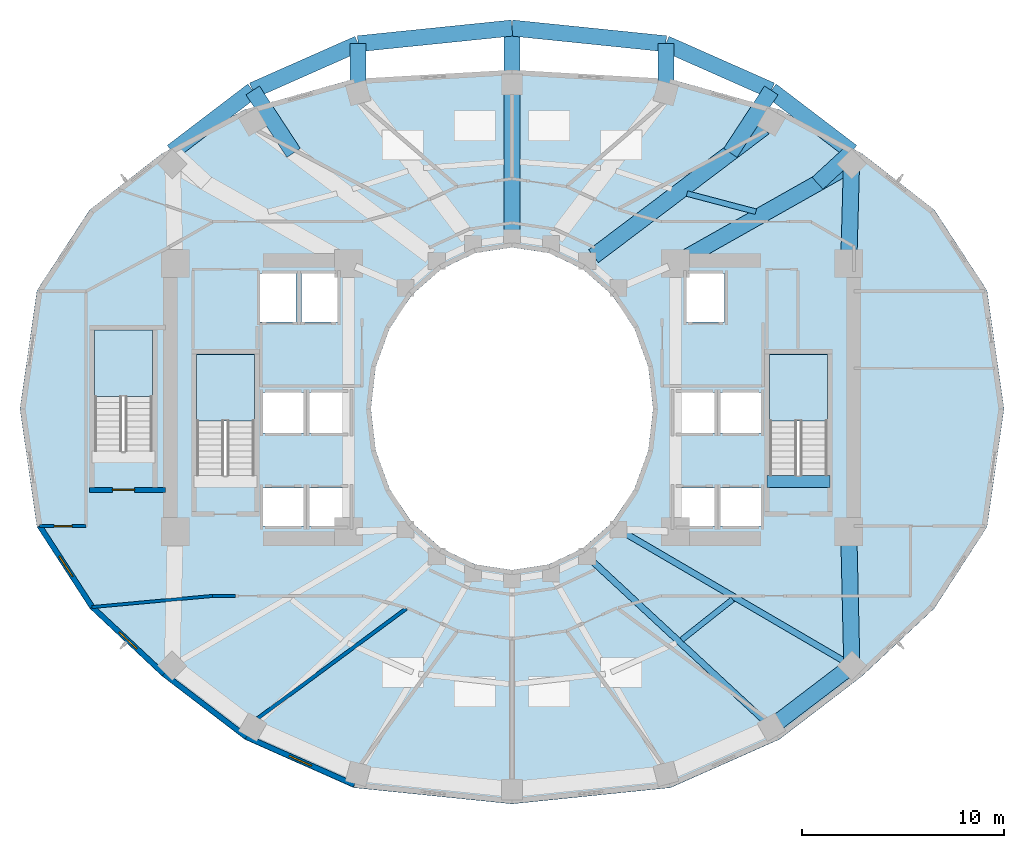
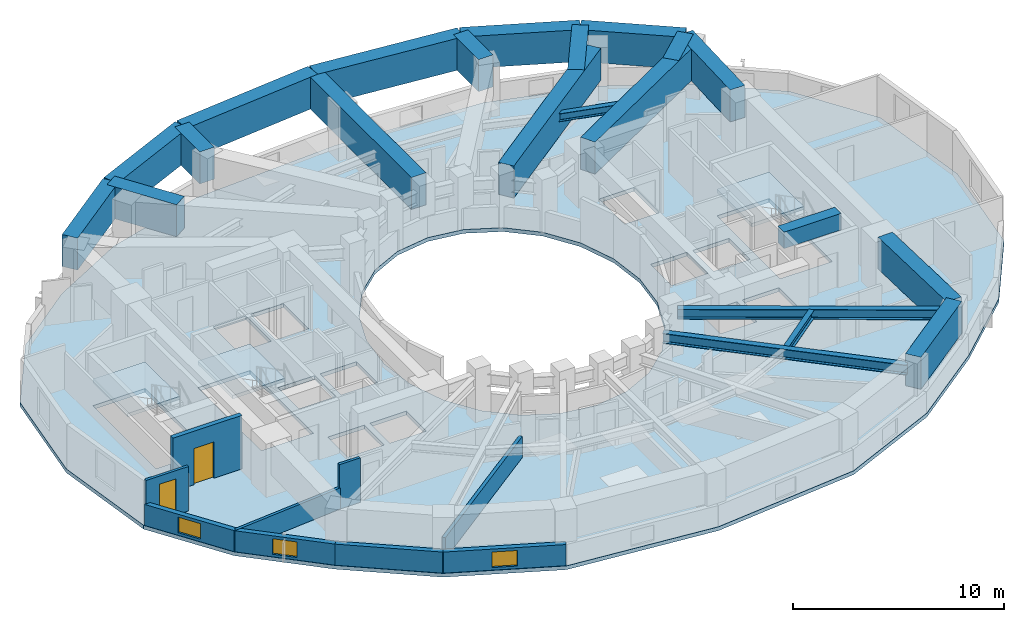
# One storey, part 2 of 10: 22 beams, 9 walls, 4 slabs, 3 windows, 2 doors, 5 openings, 3 elements without a shape of their own.
"""IFC4 building model written with IfcOpenShell, lengths in metres."""

from ifc_helpers import new_model, si_unit, direction, frame, frame_2d, origin, origin_2d, place, context, subcontext, project, spatial, polyline, rectangle, i_section, outline, extrude, material, layer, layer_set, material_profile, profile_set, type_object, element, fill, aggregate, save


model = new_model("IFC4")

# Units and contexts
model_context = context("Model", 3, precision=1e-05, world=origin(), true_north=direction((0.0, 1.0)))
body_context = subcontext(model_context, "Body", "Model", "MODEL_VIEW")
ifc_project = project(units=[si_unit("LENGTHUNIT", "METRE"), si_unit("AREAUNIT", "SQUARE_METRE"), si_unit("VOLUMEUNIT", "CUBIC_METRE"), si_unit("PLANEANGLEUNIT", "RADIAN"), si_unit("MASSUNIT", "GRAM", prefix="KILO")], contexts=[model_context])

# Site, building, storey
site_placement = place(None, origin())
site = spatial("IfcSite", under=ifc_project, at=site_placement, CompositionType="ELEMENT")
building_placement = place(site_placement, origin())
building = spatial("IfcBuilding", under=site, at=building_placement, Name="Solvane Sanctuary Tower", CompositionType="ELEMENT")
storey_placement = place(building_placement, frame((0.0, 0.0, 101.10009765625)))
storey = spatial("IfcBuildingStorey", under=building, at=storey_placement, Name="L30", CompositionType="ELEMENT", Elevation=101.10009765625)

# Beams
ifc_material_1 = material(Name="Concrete C70/85", Category="concrete")
ifc_material_profile_1 = material_profile(ifc_material_1, rectangle(XDim=0.60009765625, YDim=0.949951171875, at=origin_2d()), Name="RC600X950")
ifc_profile_set_1 = profile_set([ifc_material_profile_1], Name="Concrete C70/85")
beam_type_1 = type_object("IfcBeamType", Name="Beam B-COUPLE RC600X950", PredefinedType="LINTEL", material=ifc_profile_set_1)
beam_1_placement = place(storey_placement, frame((44.64990234375, 19.399169921875, 2.625), z_axis=(1.0, 0.0, 0.0), x_axis=(0.0, 1.0, 0.0)))
element("IfcBeam", 1, at=beam_1_placement, inside=storey, type_object=beam_type_1, Name="L30 ST-2 Stair Floor Landing Trimmer", PredefinedType="LINTEL", context=body_context, shape_type="SweptSolid", body=[
    extrude(rectangle(XDim=0.60009765625, YDim=0.949951171875, at=origin_2d()), origin(), (0.0, 0.0, 1.0), 3.1201171875),
])
ifc_material_2 = material(Name="Steel ASTM A992 Grade 50", Category="steel")
ifc_material_profile_2 = material_profile(ifc_material_2, i_section(OverallWidth=0.31494140625, OverallDepth=0.575927734375, WebThickness=0.01513671875, FlangeThickness=0.0244140625, FilletRadius=0.014892578125, at=origin_2d()), Name="W21X122")
ifc_profile_set_2 = profile_set([ifc_material_profile_2], Name="Steel ASTM A992 Grade 50")
beam_type_2 = type_object("IfcBeamType", Name="Beam B-RAD-Z2 W21X122", PredefinedType="BEAM", material=ifc_profile_set_2)
beam_2_placement = place(storey_placement, frame((35.935302734375, 15.483154296875, 2.309814453125), z_axis=(0.733453775248, -0.679739332078, 0.0), x_axis=(0.679739332078, 0.733453775248, 0.0)))
element("IfcBeam", 2, at=beam_2_placement, inside=storey, type_object=beam_type_2, Name="L30 Radial Composite Floor Beam 13", PredefinedType="BEAM", context=body_context, shape_type="SweptSolid", body=[
    extrude(i_section(OverallWidth=0.31494140625, OverallDepth=0.575927734375, WebThickness=0.01513671875, FlangeThickness=0.0244140625, FilletRadius=0.014892578125, at=origin_2d()), origin(), (0.0, 0.0, 1.0), 11.885498046875),
])
beam_3_placement = place(storey_placement, frame((37.516845703125, 16.876708984375, 2.309814453125), z_axis=(0.863554121542, -0.504256164234, 0.0), x_axis=(0.504256164234, 0.863554121542, 0.0)))
element("IfcBeam", 3, at=beam_3_placement, inside=storey, type_object=beam_type_2, Name="L30 Radial Composite Floor Beam 14", PredefinedType="BEAM", context=body_context, shape_type="SweptSolid", body=[
    extrude(i_section(OverallWidth=0.31494140625, OverallDepth=0.575927734375, WebThickness=0.01513671875, FlangeThickness=0.0244140625, FilletRadius=0.014892578125, at=origin_2d()), origin(), (0.0, 0.0, 1.0), 12.84716796875),
])
ifc_material_profile_3 = material_profile(ifc_material_2, i_section(OverallWidth=0.280029296875, OverallDepth=0.462890625, WebThickness=0.0107421875, FlangeThickness=0.017333984375, FilletRadius=0.013916015625, at=origin_2d()), Name="W18X76")
ifc_profile_set_3 = profile_set([ifc_material_profile_3], Name="Steel ASTM A992 Grade 50")
beam_type_3 = type_object("IfcBeamType", Name="Beam B-SEC-JOIST W18X76", PredefinedType="JOIST", material=ifc_profile_set_3)
beam_4_placement = place(storey_placement, frame((40.676025390625, 33.67138671875, 2.366455078125), z_axis=(0.966933950573, -0.2550269304, 0.0), x_axis=(0.2550269304, 0.966933950573, 0.0)))
element("IfcBeam", 4, at=beam_4_placement, inside=storey, type_object=beam_type_3, Name="L30 Secondary Circumferential Joist 02-01", PredefinedType="JOIST", context=body_context, shape_type="SweptSolid", body=[
    extrude(i_section(OverallWidth=0.280029296875, OverallDepth=0.462890625, WebThickness=0.0107421875, FlangeThickness=0.017333984375, FilletRadius=0.013916015625, at=origin_2d()), origin(), (0.0, 0.0, 1.0), 3.535400390625),
])
beam_5_placement = place(storey_placement, frame((40.413818359375, 11.538330078125, 2.366455078125), z_axis=(0.783877123324, 0.620915981055, 0.0), x_axis=(-0.620915981055, 0.783877123324, 0.0)))
element("IfcBeam", 5, at=beam_5_placement, inside=storey, type_object=beam_type_3, Name="L30 Secondary Circumferential Joist 13-14", PredefinedType="JOIST", context=body_context, shape_type="SweptSolid", body=[
    extrude(i_section(OverallWidth=0.280029296875, OverallDepth=0.462890625, WebThickness=0.0107421875, FlangeThickness=0.017333984375, FilletRadius=0.013916015625, at=origin_2d()), origin(), (0.0, 0.0, 1.0), 3.228515625),
])
ifc_material_profile_4 = material_profile(ifc_material_1, rectangle(XDim=0.800048828125, YDim=1.85009765625, at=origin_2d()), Name="RC800X1850")
ifc_profile_set_4 = profile_set([ifc_material_profile_4], Name="Concrete C70/85")
beam_type_4 = type_object("IfcBeamType", Name="Beam B-XFER-BLK RC800X1850", PredefinedType="BEAM", material=ifc_profile_set_4)
beam_6_placement = place(storey_placement, frame((40.41357421875, 30.376953125, 2.1748046875), z_axis=(0.870957023886, 0.491359199103, 0.0), x_axis=(-0.491359199103, 0.870957023886, 0.0)))
element("IfcBeam", 6, at=beam_6_placement, inside=storey, type_object=beam_type_4, Name="L30 Block-Shift Radial Transfer Girder 01A", PredefinedType="BEAM", context=body_context, shape_type="SweptSolid", body=[
    extrude(rectangle(XDim=0.800048828125, YDim=1.85009765625, at=origin_2d()), origin(), (0.0, 0.0, 1.0), 9.24462890625),
])
beam_7_placement = place(storey_placement, frame((47.154541015625, 34.179931640625, 2.1748046875), z_axis=(0.735848790929, 0.677145890402, 0.0), x_axis=(-0.677145890402, 0.735848790929, 0.0)))
element("IfcBeam", 7, at=beam_7_placement, inside=storey, type_object=beam_type_4, Name="L30 Block-Shift Transfer Tie 01B", PredefinedType="BEAM", context=body_context, shape_type="SweptSolid", body=[
    extrude(rectangle(XDim=0.800048828125, YDim=1.85009765625, at=origin_2d()), origin(), (0.0, 0.0, 1.0), 2.30810546875),
])
beam_8_placement = place(storey_placement, frame((36.04541015625, 30.564697265625, 2.1748046875), z_axis=(0.798118916751, 0.602499954128, 0.0), x_axis=(-0.602499954128, 0.798118916751, 0.0)))
element("IfcBeam", 8, at=beam_8_placement, inside=storey, type_object=beam_type_4, Name="L30 Block-Shift Radial Transfer Girder 02A", PredefinedType="BEAM", context=body_context, shape_type="SweptSolid", body=[
    extrude(rectangle(XDim=0.800048828125, YDim=1.85009765625, at=origin_2d()), origin(), (0.0, 0.0, 1.0), 10.59716796875),
])
beam_9_placement = place(storey_placement, frame((42.830078125, 35.686279296875, 2.1748046875), z_axis=(0.54753166112, 0.836784966447, 0.0), x_axis=(-0.836784966447, 0.54753166112, 0.0)))
element("IfcBeam", 9, at=beam_9_placement, inside=storey, type_object=beam_type_4, Name="L30 Block-Shift Transfer Tie 02B", PredefinedType="BEAM", context=body_context, shape_type="SweptSolid", body=[
    extrude(rectangle(XDim=0.800048828125, YDim=1.85009765625, at=origin_2d()), origin(), (0.0, 0.0, 1.0), 3.70458984375),
])
beam_10_placement = place(storey_placement, frame((39.62939453125, 38.7021484375, 2.1748046875), z_axis=(0.0, 1.0, 0.0), x_axis=(-1.0, 0.0, 0.0)))
element("IfcBeam", 10, at=beam_10_placement, inside=storey, type_object=beam_type_4, Name="L30 Block-Shift Transfer Tie 03B", PredefinedType="BEAM", context=body_context, shape_type="SweptSolid", body=[
    extrude(rectangle(XDim=0.800048828125, YDim=1.85009765625, at=origin_2d()), origin(), (0.0, 0.0, 1.0), 2.39794921875),
])
beam_11_placement = place(storey_placement, frame((32.0, 31.85498046875, 2.1748046875), z_axis=(0.0, 1.0, 0.0), x_axis=(-1.0, 0.0, 0.0)))
element("IfcBeam", 11, at=beam_11_placement, inside=storey, type_object=beam_type_4, Name="L30 Block-Shift Radial Transfer Girder 04A", PredefinedType="BEAM", context=body_context, shape_type="SweptSolid", body=[
    extrude(rectangle(XDim=0.800048828125, YDim=1.85009765625, at=origin_2d()), origin(), (0.0, 0.0, 1.0), 10.02490234375),
])
beam_12_placement = place(storey_placement, frame((24.37060546875, 38.7021484375, 2.1748046875), z_axis=(0.0, 1.0, 0.0), x_axis=(-1.0, 0.0, 0.0)))
element("IfcBeam", 12, at=beam_12_placement, inside=storey, type_object=beam_type_4, Name="L30 Block-Shift Transfer Tie 05B", PredefinedType="BEAM", context=body_context, shape_type="SweptSolid", body=[
    extrude(rectangle(XDim=0.800048828125, YDim=1.85009765625, at=origin_2d()), origin(), (0.0, 0.0, 1.0), 2.39794921875),
])
beam_13_placement = place(storey_placement, frame((21.169921875, 35.686279296875, 2.1748046875), z_axis=(-0.54753166112, 0.836784966447, 0.0), x_axis=(-0.836784966447, -0.54753166112, 0.0)))
element("IfcBeam", 13, at=beam_13_placement, inside=storey, type_object=beam_type_4, Name="L30 Block-Shift Transfer Tie 06B", PredefinedType="BEAM", context=body_context, shape_type="SweptSolid", body=[
    extrude(rectangle(XDim=0.800048828125, YDim=1.85009765625, at=origin_2d()), origin(), (0.0, 0.0, 1.0), 3.70458984375),
])
beam_14_placement = place(storey_placement, frame((15.14697265625, 35.742919921875, 2.1748046875), z_axis=(0.795461851464, 0.606003665719, 0.0), x_axis=(-0.606003665719, 0.795461851464, 0.0)))
element("IfcBeam", 14, at=beam_14_placement, inside=storey, type_object=beam_type_4, Name="L30 Perimeter Step Transfer Ring NTC07-NTC06", PredefinedType="BEAM", context=body_context, shape_type="SweptSolid", body=[
    extrude(rectangle(XDim=0.800048828125, YDim=1.85009765625, at=origin_2d()), origin(), (0.0, 0.0, 1.0), 5.021728515625),
])
beam_15_placement = place(storey_placement, frame((19.1416015625, 38.7861328125, 2.1748046875), z_axis=(0.914461816427, 0.404672196101, 0.0), x_axis=(-0.404672196101, 0.914461816427, 0.0)))
element("IfcBeam", 15, at=beam_15_placement, inside=storey, type_object=beam_type_4, Name="L30 Perimeter Step Transfer Ring NTC06-NTC05", PredefinedType="BEAM", context=body_context, shape_type="SweptSolid", body=[
    extrude(rectangle(XDim=0.800048828125, YDim=1.85009765625, at=origin_2d()), origin(), (0.0, 0.0, 1.0), 5.718017578125),
])
for number, where, z_axis, x_axis, name in (
    (16, (24.37060546875, 41.10009765625, 2.1748046875), (0.994817332657, 0.101678289936, 0.0), (-0.101678289936, 0.994817332657, 0.0), "L30 Perimeter Step Transfer Ring NTC05-NTC04"),
    (17, (32.0, 41.8798828125, 2.1748046875), (0.994817332657, -0.101678289936, 0.0), (0.101678289936, 0.994817332657, 0.0), "L30 Perimeter Step Transfer Ring NTC04-NTC03"),
):
    element("IfcBeam", number, at=place(storey_placement, frame(where, z_axis=z_axis, x_axis=x_axis)), inside=storey, type_object=beam_type_4, Name=name, PredefinedType="BEAM", context=body_context, shape_type="SweptSolid", body=[
        extrude(rectangle(XDim=0.800048828125, YDim=1.85009765625, at=origin_2d()), origin(), (0.0, 0.0, 1.0), 7.669189453125),
    ])
beam_16_placement = place(storey_placement, frame((39.62939453125, 41.10009765625, 2.1748046875), z_axis=(0.914461816427, -0.404672196101, 0.0), x_axis=(0.404672196101, 0.914461816427, 0.0)))
element("IfcBeam", 18, at=beam_16_placement, inside=storey, type_object=beam_type_4, Name="L30 Perimeter Step Transfer Ring NTC03-NTC02", PredefinedType="BEAM", context=body_context, shape_type="SweptSolid", body=[
    extrude(rectangle(XDim=0.800048828125, YDim=1.85009765625, at=origin_2d()), origin(), (0.0, 0.0, 1.0), 5.718017578125),
])
beam_17_placement = place(storey_placement, frame((44.8583984375, 38.7861328125, 2.1748046875), z_axis=(0.795461851464, -0.606003665719, 0.0), x_axis=(0.606003665719, 0.795461851464, 0.0)))
element("IfcBeam", 19, at=beam_17_placement, inside=storey, type_object=beam_type_4, Name="L30 Perimeter Step Transfer Ring NTC02-NTC01", PredefinedType="BEAM", context=body_context, shape_type="SweptSolid", body=[
    extrude(rectangle(XDim=0.800048828125, YDim=1.85009765625, at=origin_2d()), origin(), (0.0, 0.0, 1.0), 5.021728515625),
])
beam_18_placement = place(storey_placement, frame((48.85302734375, 35.742919921875, 2.1748046875), z_axis=(-0.027591940282, -0.999619269938, 0.0), x_axis=(0.999619269938, -0.027591940282, 0.0)))
element("IfcBeam", 20, at=beam_18_placement, inside=storey, type_object=beam_type_4, Name="L30 Perimeter Step Transfer Ring NTC01-CE3", PredefinedType="BEAM", context=body_context, shape_type="SweptSolid", body=[
    extrude(rectangle(XDim=0.800048828125, YDim=1.85009765625, at=origin_2d()), origin(), (0.0, 0.0, 1.0), 5.18505859375),
])
beam_19_placement = place(storey_placement, frame((44.8583984375, 7.2138671875, 2.1748046875), z_axis=(0.795461851464, 0.606003665719, 0.0), x_axis=(-0.606003665719, 0.795461851464, 0.0)))
element("IfcBeam", 21, at=beam_19_placement, inside=storey, type_object=beam_type_4, Name="L30 Perimeter Step Transfer Ring NTC13-NTC14", PredefinedType="BEAM", context=body_context, shape_type="SweptSolid", body=[
    extrude(rectangle(XDim=0.800048828125, YDim=1.85009765625, at=origin_2d()), origin(), (0.0, 0.0, 1.0), 5.021728515625),
])
beam_20_placement = place(storey_placement, frame((48.85302734375, 10.257080078125, 2.1748046875), z_axis=(-0.023036434167, 0.999734626139, 0.0), x_axis=(-0.999734626139, -0.023036434167, 0.0)))
element("IfcBeam", 22, at=beam_20_placement, inside=storey, type_object=beam_type_4, Name="L30 Perimeter Step Transfer Ring NTC14-CE2", PredefinedType="BEAM", context=body_context, shape_type="SweptSolid", body=[
    extrude(rectangle(XDim=0.800048828125, YDim=1.85009765625, at=origin_2d()), origin(), (0.0, 0.0, 1.0), 6.28466796875),
])

# Stair, slab
ifc_material_3 = material(Name="Concrete C45/55", Category="concrete")
stair_type = type_object("IfcStairType", Name="Stair ST-TOW", PredefinedType="HALF_TURN_STAIR", material=ifc_material_3)
stair_1_placement = place(storey_placement, origin())
stair_1 = element("IfcStair", 23, at=stair_1_placement, inside=storey, type_object=stair_type, Name="L30 Exit Stair ST-1 West Core", PredefinedType="HALF_TURN_STAIR")
ifc_layer_1 = layer(ifc_material_3, 0.199951171875, Name="Concrete C45/55")
ifc_layer_set_1 = layer_set([ifc_layer_1], Name="Concrete C45/55")
slab_type_1 = type_object("IfcSlabType", Name="Slab SL-LAND-180", PredefinedType="LANDING", material=ifc_layer_set_1)
slab_1_placement = place(storey_placement, frame((0.0, 0.0, 1.349853515625)))
slab_1 = element("IfcSlab", 24, at=slab_1_placement, type_object=slab_type_1, Name="ST-1 landing 1", PredefinedType="LANDING", context=body_context, shape_type="SweptSolid", body=[
    extrude(outline(polyline([(19.219970703125, 22.39990234375), (19.219970703125, 25.699951171875), (16.360107421875, 25.699951171875), (16.360107421875, 22.39990234375), (19.219970703125, 22.39990234375)])), origin(), (0.0, 0.0, 1.0), 0.199951171875),
])
aggregate(stair_1, [slab_1])

stair_2_placement = place(storey_placement, origin())
stair_2 = element("IfcStair", 25, at=stair_2_placement, inside=storey, type_object=stair_type, Name="L30 Exit Stair ST-2 East Core", PredefinedType="HALF_TURN_STAIR")
slab_2_placement = place(storey_placement, frame((0.0, 0.0, 1.349853515625)))
slab_2 = element("IfcSlab", 26, at=slab_2_placement, type_object=slab_type_1, Name="ST-2 landing 1", PredefinedType="LANDING", context=body_context, shape_type="SweptSolid", body=[
    extrude(outline(polyline([(47.639892578125, 22.39990234375), (47.639892578125, 25.699951171875), (44.780029296875, 25.699951171875), (44.780029296875, 22.39990234375), (47.639892578125, 22.39990234375)])), origin(), (0.0, 0.0, 1.0), 0.199951171875),
])
aggregate(stair_2, [slab_2])

stair_3_placement = place(storey_placement, origin())
stair_3 = element("IfcStair", 27, at=stair_3_placement, inside=storey, type_object=stair_type, Name="L30 Exit Stair ST-3 Pilgrim Tower Stair", PredefinedType="HALF_TURN_STAIR")
slab_3_placement = place(storey_placement, frame((0.0, 0.0, 1.349853515625)))
slab_3 = element("IfcSlab", 28, at=slab_3_placement, type_object=slab_type_1, Name="ST-3 landing 1", PredefinedType="LANDING", context=body_context, shape_type="SweptSolid", body=[
    extrude(outline(polyline([(14.159912109375, 23.60009765625), (14.159912109375, 26.89990234375), (11.300048828125, 26.89990234375), (11.300048828125, 23.60009765625), (14.159912109375, 23.60009765625)])), origin(), (0.0, 0.0, 1.0), 0.199951171875),
])
aggregate(stair_3, [slab_3])

# Slab
ifc_layer_2 = layer(ifc_material_3, 0.219970703125, Name="Concrete C45/55")
ifc_layer_set_2 = layer_set([ifc_layer_2], Name="Concrete C45/55")
slab_type_2 = type_object("IfcSlabType", Name="Slab SL-TOW-220", PredefinedType="FLOOR", material=ifc_layer_set_2)
slab_4_placement = place(storey_placement, frame((0.0, 0.0, -0.22021484375)))
element("IfcSlab", 29, at=slab_4_placement, inside=storey, type_object=slab_type_2, Name="L30 Primary Structural Slab", PredefinedType="FLOOR", context=body_context, shape_type="SweptSolid", body=[
    extrude(outline(polyline([(56.39990234375, 23.0), (55.556884765625, 28.86376953125), (52.94091796875, 32.8623046875), (49.365478515625, 35.650390625), (45.249267578125, 37.83544921875), (39.861328125, 39.347412109375), (32.0, 39.800048828125), (24.138671875, 39.347412109375), (18.750732421875, 37.83544921875), (14.634521484375, 35.650390625), (11.05908203125, 32.8623046875), (8.443115234375, 28.86376953125), (7.60009765625, 23.0), (8.443115234375, 17.13623046875), (11.05908203125, 13.096923828125), (14.634521484375, 9.744873046875), (18.750732421875, 6.595703125), (24.138671875, 4.204833984375), (32.0, 3.39990234375), (39.861328125, 4.204833984375), (45.249267578125, 6.595703125), (49.365478515625, 9.744873046875), (52.94091796875, 13.096923828125), (55.556884765625, 17.13623046875), (56.39990234375, 23.0)]), holes=[polyline([(38.761474609375, 20.929443359375), (38.062255859375, 19.0), (36.94970703125, 17.343017578125), (35.5, 16.07177734375), (33.811767578125, 15.272705078125), (32.0, 15.0), (30.188232421875, 15.272705078125), (28.5, 16.07177734375), (27.05029296875, 17.343017578125), (25.937744140625, 19.0), (25.238525390625, 20.929443359375), (25.0, 23.0), (25.238525390625, 25.070556640625), (25.937744140625, 27.0), (27.05029296875, 28.656982421875), (28.5, 29.92822265625), (30.188232421875, 30.727294921875), (32.0, 31.0), (33.811767578125, 30.727294921875), (35.5, 29.92822265625), (36.94970703125, 28.656982421875), (38.062255859375, 27.0), (38.761474609375, 25.070556640625), (39.0, 23.0), (38.761474609375, 20.929443359375)]), polyline([(16.360107421875, 19.699951171875), (16.360107421875, 25.699951171875), (19.219970703125, 25.699951171875), (19.219970703125, 19.699951171875), (16.360107421875, 19.699951171875)]), polyline([(44.780029296875, 19.699951171875), (44.780029296875, 25.699951171875), (47.639892578125, 25.699951171875), (47.639892578125, 19.699951171875), (44.780029296875, 19.699951171875)]), polyline([(11.300048828125, 20.89990234375), (11.300048828125, 26.89990234375), (14.159912109375, 26.89990234375), (14.159912109375, 20.89990234375), (11.300048828125, 20.89990234375)]), polyline([(19.64990234375, 19.080078125), (21.64990234375, 19.080078125), (21.64990234375, 17.179931640625), (19.64990234375, 17.179931640625), (19.64990234375, 19.080078125)]), polyline([(21.949951171875, 19.080078125), (23.949951171875, 19.080078125), (23.949951171875, 17.179931640625), (21.949951171875, 17.179931640625), (21.949951171875, 19.080078125)]), polyline([(40.050048828125, 19.080078125), (42.050048828125, 19.080078125), (42.050048828125, 17.179931640625), (40.050048828125, 17.179931640625), (40.050048828125, 19.080078125)]), polyline([(42.35009765625, 19.080078125), (44.35009765625, 19.080078125), (44.35009765625, 17.179931640625), (42.35009765625, 17.179931640625), (42.35009765625, 19.080078125)]), polyline([(19.64990234375, 23.800048828125), (21.64990234375, 23.800048828125), (21.64990234375, 21.800048828125), (19.64990234375, 21.800048828125), (19.64990234375, 23.800048828125)]), polyline([(42.35009765625, 23.800048828125), (44.35009765625, 23.800048828125), (44.35009765625, 21.800048828125), (42.35009765625, 21.800048828125), (42.35009765625, 23.800048828125)]), polyline([(21.949951171875, 23.800048828125), (23.949951171875, 23.800048828125), (23.949951171875, 21.800048828125), (21.949951171875, 21.800048828125), (21.949951171875, 23.800048828125)]), polyline([(40.050048828125, 23.800048828125), (42.050048828125, 23.800048828125), (42.050048828125, 21.800048828125), (40.050048828125, 21.800048828125), (40.050048828125, 23.800048828125)]), polyline([(19.5, 29.699951171875), (21.300048828125, 29.699951171875), (21.300048828125, 27.300048828125), (19.5, 27.300048828125), (19.5, 29.699951171875)]), polyline([(21.550048828125, 29.699951171875), (23.35009765625, 29.699951171875), (23.35009765625, 27.300048828125), (21.550048828125, 27.300048828125), (21.550048828125, 29.699951171875)]), polyline([(40.64990234375, 29.699951171875), (42.550048828125, 29.699951171875), (42.550048828125, 27.300048828125), (40.64990234375, 27.300048828125), (40.64990234375, 29.699951171875)])]), origin(), (0.0, 0.0, 1.0), 0.22021484375),
])

# Wall, opening, door
ifc_material_4 = material(Name="Acoustic Gypsum Partition Board")
ifc_layer_3 = layer(ifc_material_4, 0.14990234375, Name="Acoustic Gypsum Partition Board")
ifc_layer_set_3 = layer_set([ifc_layer_3], Name="Acoustic Gypsum Partition Board")
wall_type_1 = type_object("IfcWallType", Name="Wall W-CORR-150", PredefinedType="PARTITIONING", material=ifc_layer_set_3)
wall_1_placement = place(storey_placement, frame((8.558349609375, 17.1748046875, 0.0), z_axis=(0.0, 0.0, 1.0), x_axis=(1.0, 0.0, 0.0)))
wall_1 = element("IfcWall", 30, at=wall_1_placement, inside=storey, type_object=wall_type_1, Name="L30 West Shoulder South Wall", PredefinedType="PARTITIONING", context=body_context, shape_type="SweptSolid", body=[
    extrude(rectangle(XDim=2.321533203125, YDim=0.14990234375, at=frame_2d((1.16064453125, 0.0))), origin(), (0.0, 0.0, 1.0), 2.574951171875),
])
opening_1_placement = place(wall_1_placement, frame((0.73095703125, 0.0, 0.0)))
opening_1 = element("IfcOpeningElement", 31, at=opening_1_placement, cuts=wall_1, Name="Opening D-L30-10", PredefinedType="OPENING", context=body_context, shape_type="SweptSolid", body=[
    extrude(rectangle(XDim=0.89990234375, YDim=2.10009765625, at=frame_2d((0.449951171875, 1.050048828125))), frame((0.0, 0.0849609375, 0.0), z_axis=(0.0, -1.0, 0.0), x_axis=(1.0, 0.0, 0.0)), (0.0, 0.0, 1.0), 0.169921875),
])
ifc_material_5 = material(Name="Engineered Tropical Hardwood", Category="wood")
door_type_1 = type_object("IfcDoorType", Name="Door D-WET-900", OperationType="NOTDEFINED", PredefinedType="DOOR", material=ifc_material_5)
door_1_placement = place(opening_1_placement, origin())
door_1 = element("IfcDoor", 32, at=door_1_placement, inside=storey, type_object=door_type_1, Name="L30 West Shoulder South Door", OperationType="SINGLE_SWING_LEFT", OverallHeight=2.10009765625, OverallWidth=0.89990234375, PredefinedType="DOOR", context=body_context, shape_type="SweptSolid", body=[
    extrude(rectangle(XDim=0.89990234375, YDim=2.10009765625, at=frame_2d((0.449951171875, 1.050048828125))), frame((0.0, 0.02490234375, 0.0), z_axis=(0.0, -1.0, 0.0), x_axis=(1.0, 0.0, 0.0)), (0.0, 0.0, 1.0), 0.050048828125),
])
fill(opening_1, door_1)

# Walls
wall_2_placement = place(storey_placement, frame((17.14990234375, 13.719970703125, 0.0), z_axis=(0.0, 0.0, 1.0), x_axis=(1.0, 0.0, 0.0)))
element("IfcWall", 33, at=wall_2_placement, inside=storey, type_object=wall_type_1, Name="L30 SW Corner Corridor Wall", PredefinedType="PARTITIONING", context=body_context, shape_type="SweptSolid", body=[
    extrude(rectangle(XDim=1.14013671875, YDim=0.14990234375, at=frame_2d((0.570068359375, 0.0))), origin(), (0.0, 0.0, 1.0), 2.574951171875),
])
wall_3_placement = place(storey_placement, frame((17.249755859375, 13.724609375, 0.0), z_axis=(0.0, 0.0, 1.0), x_axis=(-0.995748209098, -0.092116795851, 0.0)))
element("IfcWall", 34, at=wall_3_placement, inside=storey, type_object=wall_type_1, Name="L30 SW Corner Wing Wall", PredefinedType="PARTITIONING", context=body_context, shape_type="SweptSolid", body=[
    extrude(rectangle(XDim=6.111572265625, YDim=0.14990234375, at=frame_2d((3.0556640625, 0.0))), origin(), (0.0, 0.0, 1.0), 1.219970703125),
])

# Wall, opening, window
ifc_material_6 = material(Name="Precast concrete C40/50", Category="concrete")
ifc_layer_4 = layer(ifc_material_6, 0.260009765625, Name="Precast concrete C40/50")
ifc_layer_set_4 = layer_set([ifc_layer_4], Name="Precast concrete C40/50")
wall_type_2 = type_object("IfcWallType", Name="Wall W-EXT-250", PredefinedType="STANDARD", material=ifc_layer_set_4)
wall_4_placement = place(storey_placement, frame((8.578125, 17.181396484375, 0.0), z_axis=(0.0, 0.0, 1.0), x_axis=(0.544388392991, -0.838833283541, 0.0)))
wall_4 = element("IfcWall", 35, at=wall_4_placement, inside=storey, type_object=wall_type_2, Name="L30 Ceramic-Printed Facade Wall 13", PredefinedType="STANDARD", context=body_context, shape_type="SweptSolid", body=[
    extrude(rectangle(XDim=4.7783203125, YDim=0.260009765625, at=frame_2d((2.38916015625, 0.0))), origin(), (0.0, 0.0, 1.0), 1.219970703125),
])
opening_2_placement = place(wall_4_placement, frame((1.7890625, 0.0, 0.14990234375)))
opening_2 = element("IfcOpeningElement", 36, at=opening_2_placement, cuts=wall_4, Name="Opening WN-OPER-1200", PredefinedType="OPENING", context=body_context, shape_type="SweptSolid", body=[
    extrude(rectangle(XDim=1.199951171875, YDim=0.89990234375, at=frame_2d((0.60009765625, 0.449951171875))), frame((0.0, 0.139892578125, 0.0), z_axis=(0.0, -1.0, 0.0), x_axis=(1.0, 0.0, 0.0)), (0.0, 0.0, 1.0), 0.280029296875),
])
ifc_material_7 = material(Name="Dark Ceramic-Fritted Low-E Glass", Category="glass")
window_type = type_object("IfcWindowType", Name="Window WN-OPER-1200", PartitioningType="SINGLE_PANEL", PredefinedType="WINDOW", material=ifc_material_7)
window_1_placement = place(opening_2_placement, origin())
window_1 = element("IfcWindow", 37, at=window_1_placement, inside=storey, type_object=window_type, Name="L30 Operable Facade Window 13", OverallHeight=0.89990234375, OverallWidth=1.199951171875, PartitioningType="SINGLE_PANEL", PredefinedType="WINDOW", context=body_context, shape_type="SweptSolid", body=[
    extrude(rectangle(XDim=1.199951171875, YDim=0.89990234375, at=frame_2d((0.60009765625, 0.449951171875))), frame((0.0, 0.030029296875, 0.0), z_axis=(0.0, -1.0, 0.0), x_axis=(1.0, 0.0, 0.0)), (0.0, 0.0, 1.0), 0.06005859375),
])
fill(opening_2, window_1)

wall_5_placement = place(storey_placement, frame((11.179443359375, 13.173095703125, 0.0), z_axis=(0.0, 0.0, 1.0), x_axis=(0.730162452258, -0.68327358599, 0.0)))
wall_5 = element("IfcWall", 38, at=wall_5_placement, inside=storey, type_object=wall_type_2, Name="L30 Ceramic-Printed Facade Wall 14", PredefinedType="STANDARD", context=body_context, shape_type="SweptSolid", body=[
    extrude(rectangle(XDim=4.868408203125, YDim=0.260009765625, at=frame_2d((2.43408203125, 0.0))), origin(), (0.0, 0.0, 1.0), 1.219970703125),
])
opening_3_placement = place(wall_5_placement, frame((1.834228515625, 0.0, 0.14990234375)))
opening_3 = element("IfcOpeningElement", 39, at=opening_3_placement, cuts=wall_5, Name="Opening WN-OPER-1200", PredefinedType="OPENING", context=body_context, shape_type="SweptSolid", body=[
    extrude(rectangle(XDim=1.199951171875, YDim=0.89990234375, at=frame_2d((0.60009765625, 0.449951171875))), frame((0.0, 0.139892578125, 0.0), z_axis=(0.0, -1.0, 0.0), x_axis=(1.0, 0.0, 0.0)), (0.0, 0.0, 1.0), 0.280029296875),
])
window_2_placement = place(opening_3_placement, origin())
window_2 = element("IfcWindow", 40, at=window_2_placement, inside=storey, type_object=window_type, Name="L30 Operable Facade Window 14", OverallHeight=0.89990234375, OverallWidth=1.199951171875, PartitioningType="SINGLE_PANEL", PredefinedType="WINDOW", context=body_context, shape_type="SweptSolid", body=[
    extrude(rectangle(XDim=1.199951171875, YDim=0.89990234375, at=frame_2d((0.60009765625, 0.449951171875))), frame((0.0, 0.030029296875, 0.0), z_axis=(0.0, -1.0, 0.0), x_axis=(1.0, 0.0, 0.0)), (0.0, 0.0, 1.0), 0.06005859375),
])
fill(opening_3, window_2)

# Wall
wall_6_placement = place(storey_placement, frame((14.734130859375, 9.8466796875, 0.0), z_axis=(0.0, 0.0, 1.0), x_axis=(0.794809810864, -0.606858603427, 0.0)))
element("IfcWall", 41, at=wall_6_placement, inside=storey, type_object=wall_type_2, Name="L30 Ceramic-Printed Facade Wall 15", PredefinedType="STANDARD", context=body_context, shape_type="SweptSolid", body=[
    extrude(rectangle(XDim=5.149169921875, YDim=0.260009765625, at=frame_2d((2.57470703125, 0.0))), origin(), (0.0, 0.0, 1.0), 1.219970703125),
])

# Wall, opening, window
wall_7_placement = place(storey_placement, frame((18.82666015625, 6.721923828125, 0.0), z_axis=(0.0, 0.0, 1.0), x_axis=(0.914336605747, -0.404955023911, 0.0)))
wall_7 = element("IfcWall", 42, at=wall_7_placement, inside=storey, type_object=wall_type_2, Name="L30 Ceramic-Printed Facade Wall 16", PredefinedType="STANDARD", context=body_context, shape_type="SweptSolid", body=[
    extrude(rectangle(XDim=5.85888671875, YDim=0.260009765625, at=frame_2d((2.929443359375, 0.0))), origin(), (0.0, 0.0, 1.0), 1.219970703125),
])
opening_4_placement = place(wall_7_placement, frame((2.329345703125, 0.0, 0.14990234375)))
opening_4 = element("IfcOpeningElement", 43, at=opening_4_placement, cuts=wall_7, Name="Opening WN-OPER-1200", PredefinedType="OPENING", context=body_context, shape_type="SweptSolid", body=[
    extrude(rectangle(XDim=1.199951171875, YDim=0.89990234375, at=frame_2d((0.60009765625, 0.449951171875))), frame((0.0, 0.139892578125, 0.0), z_axis=(0.0, -1.0, 0.0), x_axis=(1.0, 0.0, 0.0)), (0.0, 0.0, 1.0), 0.280029296875),
])
window_3_placement = place(opening_4_placement, origin())
window_3 = element("IfcWindow", 44, at=window_3_placement, inside=storey, type_object=window_type, Name="L30 Operable Facade Window 16", OverallHeight=0.89990234375, OverallWidth=1.199951171875, PartitioningType="SINGLE_PANEL", PredefinedType="WINDOW", context=body_context, shape_type="SweptSolid", body=[
    extrude(rectangle(XDim=1.199951171875, YDim=0.89990234375, at=frame_2d((0.60009765625, 0.449951171875))), frame((0.0, 0.030029296875, 0.0), z_axis=(0.0, -1.0, 0.0), x_axis=(1.0, 0.0, 0.0)), (0.0, 0.0, 1.0), 0.06005859375),
])
fill(opening_4, window_3)

# Wall, opening, door
ifc_material_8 = material(Name="Concrete C50/60", Category="concrete")
ifc_layer_5 = layer(ifc_material_8, 0.25, Name="Concrete C50/60")
ifc_layer_set_5 = layer_set([ifc_layer_5], Name="Concrete C50/60")
wall_type_3 = type_object("IfcWallType", Name="Wall W-SHAFT-250", PredefinedType="SOLIDWALL", material=ifc_layer_set_5)
wall_8_placement = place(storey_placement, frame((11.044921875, 18.969970703125, 0.0), z_axis=(0.0, 0.0, 1.0), x_axis=(1.0, 0.0, 0.0)))
wall_8 = element("IfcWall", 45, at=wall_8_placement, inside=storey, type_object=wall_type_3, Name="L30 ST-3 Load-Bearing Shaft Wall S", PredefinedType="SOLIDWALL", context=body_context, shape_type="SweptSolid", body=[
    extrude(rectangle(XDim=3.781982421875, YDim=0.25, at=frame_2d((1.89111328125, 0.0))), origin(), (0.0, 0.0, 1.0), 3.099853515625),
])
opening_5_placement = place(wall_8_placement, frame((1.135009765625, 0.0, 0.0)))
opening_5 = element("IfcOpeningElement", 46, at=opening_5_placement, cuts=wall_8, Name="Opening D-L30-03", PredefinedType="OPENING", context=body_context, shape_type="SweptSolid", body=[
    extrude(rectangle(XDim=1.10009765625, YDim=2.10009765625, at=frame_2d((0.550048828125, 1.050048828125))), frame((0.0, 0.135009765625, 0.0), z_axis=(0.0, -1.0, 0.0), x_axis=(1.0, 0.0, 0.0)), (0.0, 0.0, 1.0), 0.27001953125),
])
ifc_material_9 = material(Name="Architectural Stainless Steel 316", Category="steel")
door_type_2 = type_object("IfcDoorType", Name="Door D-STAIR", OperationType="NOTDEFINED", PredefinedType="DOOR", material=ifc_material_9)
door_2_placement = place(opening_5_placement, origin())
door_2 = element("IfcDoor", 47, at=door_2_placement, inside=storey, type_object=door_type_2, Name="L30 ST-3 Exit Stair Fire Door", OperationType="SINGLE_SWING_RIGHT", OverallHeight=2.10009765625, OverallWidth=1.10009765625, PredefinedType="DOOR", context=body_context, shape_type="SweptSolid", body=[
    extrude(rectangle(XDim=1.10009765625, YDim=2.10009765625, at=frame_2d((0.550048828125, 1.050048828125))), frame((0.0, 0.02490234375, 0.0), z_axis=(0.0, -1.0, 0.0), x_axis=(1.0, 0.0, 0.0)), (0.0, 0.0, 1.0), 0.050048828125),
])
fill(opening_5, door_2)

# Wall
ifc_layer_6 = layer(ifc_material_4, 0.179931640625, Name="Acoustic Gypsum Partition Board")
ifc_layer_set_6 = layer_set([ifc_layer_6], Name="Acoustic Gypsum Partition Board")
wall_type_4 = type_object("IfcWallType", Name="Wall W-UNIT-180", PredefinedType="PARTITIONING", material=ifc_layer_set_6)
wall_9_placement = place(storey_placement, frame((26.750732421875, 13.0859375, 0.0), z_axis=(0.0, 0.0, 1.0), x_axis=(-0.80430981394, -0.594210167533, 0.0)))
element("IfcWall", 48, at=wall_9_placement, inside=storey, type_object=wall_type_4, Name="L30 Radial Compartment Wall 240", PredefinedType="PARTITIONING", context=body_context, shape_type="SweptSolid", body=[
    extrude(rectangle(XDim=9.146240234375, YDim=0.179931640625, at=frame_2d((4.5732421875, 0.0))), origin(), (0.0, 0.0, 1.0), 1.219970703125),
])

save(model, "model.ifc")
